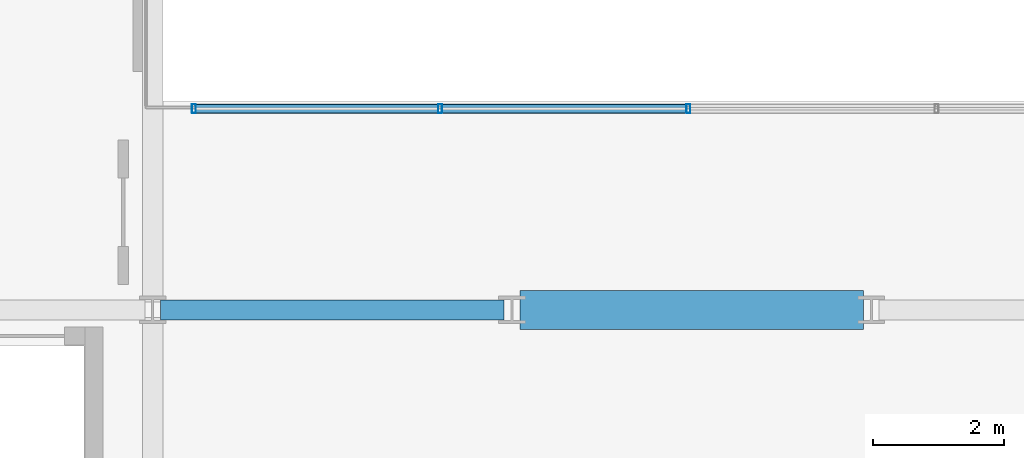
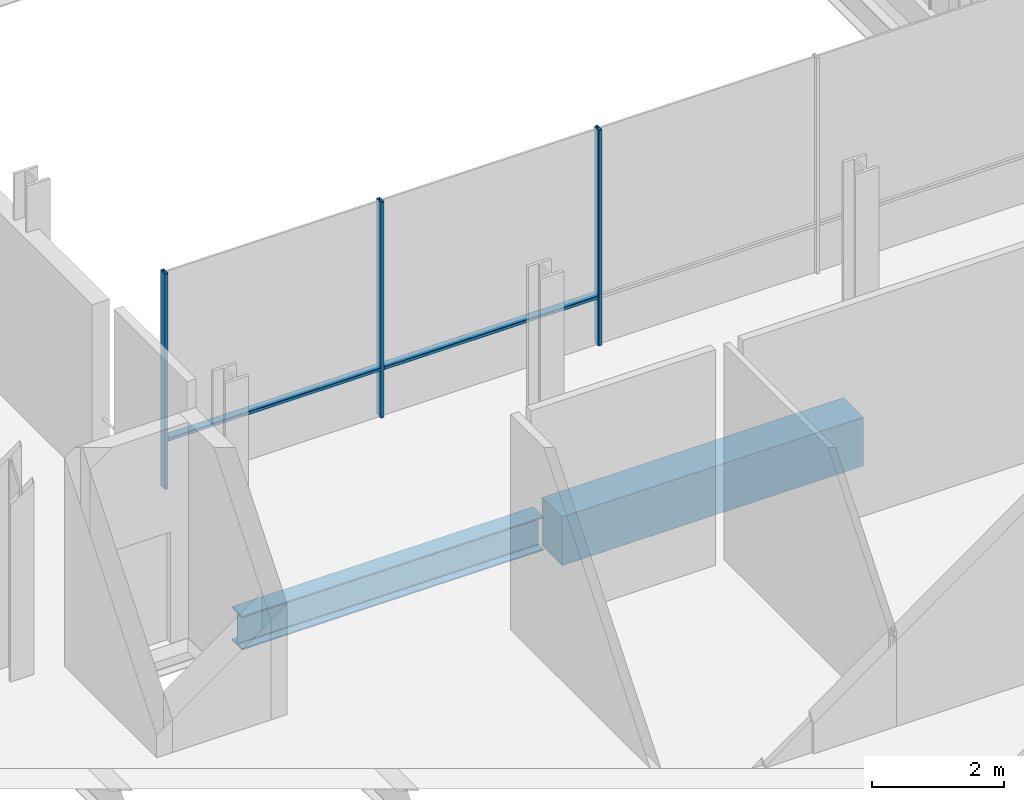
# One storey, part 4 of 32: 5 members, 2 beams, 1 element without a shape of its own.
"""IFC4 building model written with IfcOpenShell, lengths in metres."""

import ifcopenshell
import ifcopenshell.guid

model = None  # the IFC model being written
_history = None  # IfcOwnerHistory: only IFC2X3 demands one
_inside = {}  # id of a spatial element -> (the spatial element, [elements in it])
_under = {}  # id of a project, library or spatial element -> (it, [spatial elements below it])
_declared = {}  # id of a project -> (the project, [libraries it declares])
_typed = {}  # id of a type object -> (the type object, [elements of that type])
_made_of = {}  # id of a material, layer set ... -> (it, [elements and type objects made of it])


def new_model(schema):
    """Start an empty IFC model of exactly this schema.

    Asked for "IFC4X3", IfcOpenShell would pick the latest addendum, in which some entities
    have other attributes; the version numbers below select the first issue.
    IFC2X3 requires an IfcOwnerHistory on every rooted entity: one is made here for all.
    """
    global model, _history
    if schema == "IFC4X3":
        model = ifcopenshell.file(schema_version=(4, 3, 0, 0))
    else:
        model = ifcopenshell.file(schema=schema)
    _inside.clear()
    _under.clear()
    _declared.clear()
    _typed.clear()
    _made_of.clear()
    _history = None
    if model.schema == "IFC2X3":
        org = make("IfcOrganization", Name="unknown")
        user = make(
            "IfcPersonAndOrganization",
            ThePerson=make("IfcPerson", FamilyName="unknown"),
            TheOrganization=org,
        )
        app = make(
            "IfcApplication",
            ApplicationDeveloper=org,
            Version="unknown",
            ApplicationFullName="unknown",
            ApplicationIdentifier="unknown",
        )
        _history = make(
            "IfcOwnerHistory",
            OwningUser=user,
            OwningApplication=app,
            ChangeAction="ADDED",
            CreationDate=0,
        )
    return model


def make(cls, **values):
    """One entity of the class cls with the attributes given. An attribute that is None is left unset."""
    return model.create_entity(
        cls, **{name: value for name, value in values.items() if value is not None}
    )


def rooted(cls, **values):
    """An entity with a GlobalId (a new one), such as an element, a storey or a relation."""
    return make(cls, GlobalId=ifcopenshell.guid.new(), OwnerHistory=_history, **values)


def si_unit(unit_type, name, prefix=None):
    """IfcSIUnit, for example si_unit("LENGTHUNIT", "METRE", prefix="MILLI")."""
    return make("IfcSIUnit", UnitType=unit_type, Prefix=prefix, Name=name)


def assignment(units):
    """IfcUnitAssignment: the units of a project."""
    return None if units is None else make("IfcUnitAssignment", Units=units)


def point(xyz):
    """IfcCartesianPoint."""
    return None if xyz is None else make("IfcCartesianPoint", Coordinates=xyz)


def direction(xyz):
    """IfcDirection."""
    return None if xyz is None else make("IfcDirection", DirectionRatios=xyz)


def frame(location, z_axis=None, x_axis=None):
    """IfcAxis2Placement3D, a coordinate frame: its origin and axes. An axis left out is left unset."""
    return make(
        "IfcAxis2Placement3D",
        Location=point(location),
        Axis=direction(z_axis),
        RefDirection=direction(x_axis),
    )


def frame_2d(location, x_axis=None):
    """IfcAxis2Placement2D, a coordinate frame in the plane: its origin and x axis."""
    return make(
        "IfcAxis2Placement2D", Location=point(location), RefDirection=direction(x_axis)
    )


def origin():
    """The frame at (0, 0, 0) with its axes left unset."""
    return frame((0.0, 0.0, 0.0))


def origin_2d():
    """The frame at (0, 0) in the plane with its x axis left unset."""
    return frame_2d((0.0, 0.0))


def place(relative_to, where):
    """IfcLocalPlacement: puts the frame where relative to a parent placement (None: the world)."""
    return make(
        "IfcLocalPlacement", PlacementRelTo=relative_to, RelativePlacement=where
    )


def context(
    kind, dimensions, precision=None, world=None, true_north=None, identifier=None
):
    """IfcGeometricRepresentationContext, for example the 3D "Model" context."""
    return make(
        "IfcGeometricRepresentationContext",
        ContextIdentifier=identifier,
        ContextType=kind,
        CoordinateSpaceDimension=dimensions,
        Precision=precision,
        WorldCoordinateSystem=world,
        TrueNorth=true_north,
    )


def subcontext(parent, identifier, kind, view, scale=None):
    """IfcGeometricRepresentationSubContext, for example "Body" below "Model"."""
    return make(
        "IfcGeometricRepresentationSubContext",
        ContextIdentifier=identifier,
        ContextType=kind,
        ParentContext=parent,
        TargetScale=scale,
        TargetView=view,
    )


def project(units=None, contexts=None):
    """IfcProject with its units and contexts."""
    return rooted(
        "IfcProject",
        Name="project",
        RepresentationContexts=contexts,
        UnitsInContext=assignment(units),
    )


def spatial(cls, under=None, at=None, **own):
    """A site, building, storey or space (cls), placed at a placement, below another one or the project."""
    s = rooted(cls, ObjectPlacement=at, **own)
    if under is not None:
        _under.setdefault(under.id(), (under, []))[1].append(s)
    return s


def profile(cls, at=None, kind="AREA", **sizes):
    """A parametric profile (cls). Its sizes go by their IFC names, for example OverallWidth=200.0."""
    return make(cls, ProfileType=kind, Position=at, **sizes)


def rectangle(**sizes):
    """IfcRectangleProfileDef."""
    return profile("IfcRectangleProfileDef", **sizes)


def hollow_rectangle(**sizes):
    """IfcRectangleHollowProfileDef."""
    return profile("IfcRectangleHollowProfileDef", **sizes)


def i_section(**sizes):
    """IfcIShapeProfileDef."""
    return profile("IfcIShapeProfileDef", **sizes)


def extrude(swept, where, along, depth):
    """IfcExtrudedAreaSolid: the profile swept, set in the frame where, extruded along a direction by depth."""
    return make(
        "IfcExtrudedAreaSolid",
        SweptArea=swept,
        Position=where,
        ExtrudedDirection=direction(along),
        Depth=depth,
    )


def shape(context_of_items, identifier, shape_type, items):
    """IfcShapeRepresentation: the items that make up one representation, for example the "Body"."""
    return make(
        "IfcShapeRepresentation",
        ContextOfItems=context_of_items,
        RepresentationIdentifier=identifier,
        RepresentationType=shape_type,
        Items=items,
    )


def material(Name=None, Category=None):
    """IfcMaterial."""
    return make("IfcMaterial", Name=Name, Category=Category)


def layer(
    of_material, thickness, ventilated=None, Name=None, Category=None, Priority=None
):
    """IfcMaterialLayer: one layer of a wall or slab, of a material (None: an air gap)."""
    return make(
        "IfcMaterialLayer",
        Material=of_material,
        LayerThickness=thickness,
        IsVentilated=ventilated,
        Name=Name,
        Category=Category,
        Priority=Priority,
    )


def layer_set(layers, Name=None):
    """IfcMaterialLayerSet."""
    return make("IfcMaterialLayerSet", MaterialLayers=layers, LayerSetName=Name)


def material_profile(
    of_material, cross_section, Name=None, Category=None, Priority=None
):
    """IfcMaterialProfile: a cross section and its material."""
    return make(
        "IfcMaterialProfile",
        Name=Name,
        Material=of_material,
        Profile=cross_section,
        Priority=Priority,
        Category=Category,
    )


def profile_set(profiles, Name=None, composite=None):
    """IfcMaterialProfileSet."""
    return make(
        "IfcMaterialProfileSet",
        Name=Name,
        MaterialProfiles=profiles,
        CompositeProfile=composite,
    )


def made_of(thing, what):
    """Note that an element or type object is made of a material, layer set ...; save() writes the relation."""
    if what is not None:
        _made_of.setdefault(what.id(), (what, []))[1].append(thing)
    return thing


def type_object(cls, material=None, **own):
    """A type object (cls), such as IfcWallType, which elements share."""
    return made_of(rooted(cls, **own), material)


def element(
    cls,
    number,
    at=None,
    inside=None,
    cuts=None,
    type_object=None,
    material=None,
    context=None,
    identifier="Body",
    shape_type=None,
    held_by="IfcProductDefinitionShape",
    body=None,
    shapes=None,
    **own,
):
    """One element of the class cls, such as IfcWall. Its Tag is "e" and its number.

    at: its placement. inside: the storey or other place that contains it. cuts: it is an
    opening in that element (IfcRelVoidsElement). A single representation is given by context,
    identifier, shape_type and body (its items); several are given by shapes. held_by: the class
    of the entity that holds the representations. save() writes the other relations.
    """
    e = rooted(cls, Tag="e%d" % number, ObjectPlacement=at, **own)
    if body is not None:
        shapes = [shape(context, identifier, shape_type, body)]
    if shapes is not None:
        e.Representation = make(held_by, Representations=shapes)
    if inside is not None:
        _inside.setdefault(inside.id(), (inside, []))[1].append(e)
    if cuts is not None:
        rooted(
            "IfcRelVoidsElement", RelatingBuildingElement=cuts, RelatedOpeningElement=e
        )
    if type_object is not None:
        _typed.setdefault(type_object.id(), (type_object, []))[1].append(e)
    return made_of(e, material)


def aggregate(whole, parts):
    """IfcRelAggregates: a whole, such as a stair, and the parts it consists of."""
    return rooted("IfcRelAggregates", RelatingObject=whole, RelatedObjects=parts)


def save(model, path):
    """Write the relations noted so far, then the file.

    IfcRelAggregates (storeys below a building ...), IfcRelContainedInSpatialStructure (elements
    in a storey), IfcRelDefinesByType, IfcRelAssociatesMaterial and IfcRelDeclares: one each for
    every whole, place, type object, material and project.
    """
    for whole, parts in _under.values():
        aggregate(whole, parts)
    for where, things in _inside.values():
        rooted(
            "IfcRelContainedInSpatialStructure",
            RelatedElements=things,
            RelatingStructure=where,
        )
    for kind, things in _typed.values():
        rooted("IfcRelDefinesByType", RelatedObjects=things, RelatingType=kind)
    for what, things in _made_of.values():
        rooted("IfcRelAssociatesMaterial", RelatedObjects=things, RelatingMaterial=what)
    for by, libraries in _declared.values():
        rooted("IfcRelDeclares", RelatingContext=by, RelatedDefinitions=libraries)
    model.write(path)


model = new_model("IFC4")

# Units and contexts
model_context = context("Model", 3, precision=1e-05, world=origin(), true_north=direction((0.0, 1.0)))
body_context = subcontext(model_context, "Body", "Model", "MODEL_VIEW")
ifc_project = project(units=[si_unit("LENGTHUNIT", "METRE"), si_unit("AREAUNIT", "SQUARE_METRE"), si_unit("VOLUMEUNIT", "CUBIC_METRE"), si_unit("PLANEANGLEUNIT", "RADIAN"), si_unit("MASSUNIT", "GRAM", prefix="KILO")], contexts=[model_context])

# Site, building, storey
site_placement = place(None, origin())
site = spatial("IfcSite", under=ifc_project, at=site_placement, CompositionType="ELEMENT")
building_placement = place(site_placement, origin())
building = spatial("IfcBuilding", under=site, at=building_placement, Name="Brevholm Reach", CompositionType="ELEMENT")
storey_placement = place(building_placement, frame((0.0, 0.0, 134.5)))
storey = spatial("IfcBuildingStorey", under=building, at=storey_placement, Name="L40", CompositionType="ELEMENT", Elevation=134.5)

# Beams
ifc_material_1 = material(Name="Concrete C50/60", Category="concrete")
ifc_material_profile_1 = material_profile(ifc_material_1, rectangle(XDim=0.60009765625, YDim=0.89990234375, at=origin_2d()), Name="RC 600x900")
ifc_profile_set_1 = profile_set([ifc_material_profile_1], Name="Concrete C50/60")
beam_type_1 = type_object("IfcBeamType", Name="BM-CB600", PredefinedType="LINTEL", material=ifc_profile_set_1)
beam_1_placement = place(storey_placement, frame((27.3701171875, 10.0, -0.699951171875), z_axis=(1.0, 0.0, 0.0), x_axis=(0.0, 1.0, 0.0)))
element("IfcBeam", 1, at=beam_1_placement, inside=storey, type_object=beam_type_1, Name="L40 CB-02 Framing Beam", PredefinedType="LINTEL", context=body_context, shape_type="SweptSolid", body=[
    extrude(rectangle(XDim=0.60009765625, YDim=0.89990234375, at=origin_2d()), origin(), (0.0, 0.0, 1.0), 5.259765625),
])
ifc_material_2 = material(Name="Structural Steel S355J2", Category="steel")
ifc_material_profile_2 = material_profile(ifc_material_2, i_section(OverallWidth=0.30712890625, OverallDepth=0.6201171875, WebThickness=0.01416015625, FlangeThickness=0.023681640625, FilletRadius=0.0166015625, at=origin_2d()), Name="UKB 610x305x179")
ifc_profile_set_2 = profile_set([ifc_material_profile_2], Name="Structural Steel S355J2")
beam_type_2 = type_object("IfcBeamType", Name="BM-UKB610H", PredefinedType="USERDEFINED", material=ifc_profile_set_2)
beam_2_placement = place(storey_placement, frame((21.8701171875, 10.0, -0.56005859375), z_axis=(1.0, 0.0, 0.0), x_axis=(0.0, 1.0, 0.0)))
element("IfcBeam", 2, at=beam_2_placement, inside=storey, type_object=beam_type_2, Name="L40 G-06 Framing Beam", ObjectType="GIRDER", PredefinedType="USERDEFINED", context=body_context, shape_type="SweptSolid", body=[
    extrude(i_section(OverallWidth=0.30712890625, OverallDepth=0.6201171875, WebThickness=0.01416015625, FlangeThickness=0.023681640625, FilletRadius=0.0166015625, at=origin_2d()), origin(), (0.0, 0.0, 1.0), 5.259765625),
])

# Curtain wall, members
ifc_material_3 = material(Name="Dark Anodised Aluminium 6063-T6 and Solar-Control Glass", Category="aluminium")
ifc_layer = layer(ifc_material_3, 0.139892578125)
ifc_layer_set = layer_set([ifc_layer], Name="Dark Anodised Aluminium 6063-T6 and Solar-Control Glass")
curtain_wall_type = type_object("IfcCurtainWallType", Name="CW-02", PredefinedType="NOTDEFINED", material=ifc_layer_set)
curtain_wall_placement = place(storey_placement, origin())
curtain_wall = element("IfcCurtainWall", 3, at=curtain_wall_placement, inside=storey, type_object=curtain_wall_type, Name="L40 Curtain Wall CW-02", PredefinedType="NOTDEFINED")
ifc_material_4 = material(Name="Dark Anodised Aluminium 6063-T6", Category="aluminium")
ifc_material_profile_3 = material_profile(ifc_material_4, hollow_rectangle(XDim=0.06005859375, YDim=0.139892578125, WallThickness=0.0048828125, InnerFilletRadius=0.0048828125, OuterFilletRadius=0.010009765625, at=origin_2d()), Name="RHS 140x60x5")
ifc_profile_set_3 = profile_set([ifc_material_profile_3], Name="Dark Anodised Aluminium 6063-T6")
member_type_1 = type_object("IfcMemberType", Name="CWM-140", PredefinedType="MULLION", material=ifc_profile_set_3)
member_1_placement = place(storey_placement, frame((22.3798828125, 13.080078125, 0.0), z_axis=(0.0, 0.0, 1.0), x_axis=(1.0, 0.0, 0.0)))
member_1 = element("IfcMember", 4, at=member_1_placement, type_object=member_type_1, Name="CM-140 Mullion 1", PredefinedType="MULLION", context=body_context, shape_type="SweptSolid", body=[
    extrude(hollow_rectangle(XDim=0.06005859375, YDim=0.139892578125, WallThickness=0.0048828125, InnerFilletRadius=0.0048828125, OuterFilletRadius=0.010009765625, at=origin_2d()), origin(), (0.0, 0.0, 1.0), 3.97998046875),
])
member_2_placement = place(storey_placement, frame((26.14990234375, 13.080078125, 0.0), z_axis=(0.0, 0.0, 1.0), x_axis=(1.0, 0.0, 0.0)))
member_2 = element("IfcMember", 5, at=member_2_placement, type_object=member_type_1, Name="CM-140 Mullion 2", PredefinedType="MULLION", context=body_context, shape_type="SweptSolid", body=[
    extrude(hollow_rectangle(XDim=0.06005859375, YDim=0.139892578125, WallThickness=0.0048828125, InnerFilletRadius=0.0048828125, OuterFilletRadius=0.010009765625, at=origin_2d()), origin(), (0.0, 0.0, 1.0), 3.97998046875),
])
member_3_placement = place(storey_placement, frame((29.949951171875, 13.080078125, 0.0), z_axis=(0.0, 0.0, 1.0), x_axis=(1.0, 0.0, 0.0)))
member_3 = element("IfcMember", 6, at=member_3_placement, type_object=member_type_1, Name="CM-140 Mullion 3", PredefinedType="MULLION", context=body_context, shape_type="SweptSolid", body=[
    extrude(hollow_rectangle(XDim=0.06005859375, YDim=0.139892578125, WallThickness=0.0048828125, InnerFilletRadius=0.0048828125, OuterFilletRadius=0.010009765625, at=origin_2d()), origin(), (0.0, 0.0, 1.0), 3.97998046875),
])
ifc_material_5 = material(Name="Dark Anodised Aluminium 6063-T6", Category="aluminium")
ifc_material_profile_4 = material_profile(ifc_material_5, hollow_rectangle(XDim=0.06005859375, YDim=0.139892578125, WallThickness=0.0048828125, InnerFilletRadius=0.0048828125, OuterFilletRadius=0.010009765625, at=origin_2d()), Name="RHS 140x60x5")
ifc_profile_set_4 = profile_set([ifc_material_profile_4], Name="Dark Anodised Aluminium 6063-T6")
member_type_2 = type_object("IfcMemberType", Name="CWT-140", PredefinedType="NOTDEFINED", material=ifc_profile_set_4)
member_4_placement = place(storey_placement, frame((22.409912109375, 13.080078125, 0.89990234375), z_axis=(1.0, 0.0, 0.0), x_axis=(0.0, 0.0, 1.0)))
member_4 = element("IfcMember", 7, at=member_4_placement, type_object=member_type_2, Name="CT-140 Transom 1.1", ObjectType="TRANSOM", PredefinedType="USERDEFINED", context=body_context, shape_type="SweptSolid", body=[
    extrude(hollow_rectangle(XDim=0.06005859375, YDim=0.139892578125, WallThickness=0.0048828125, InnerFilletRadius=0.0048828125, OuterFilletRadius=0.010009765625, at=origin_2d()), origin(), (0.0, 0.0, 1.0), 3.710205078125),
])
member_5_placement = place(storey_placement, frame((26.179931640625, 13.080078125, 0.89990234375), z_axis=(1.0, 0.0, 0.0), x_axis=(0.0, 0.0, 1.0)))
member_5 = element("IfcMember", 8, at=member_5_placement, type_object=member_type_2, Name="CT-140 Transom 2.1", ObjectType="TRANSOM", PredefinedType="USERDEFINED", context=body_context, shape_type="SweptSolid", body=[
    extrude(hollow_rectangle(XDim=0.06005859375, YDim=0.139892578125, WallThickness=0.0048828125, InnerFilletRadius=0.0048828125, OuterFilletRadius=0.010009765625, at=origin_2d()), origin(), (0.0, 0.0, 1.0), 3.739990234375),
])
aggregate(curtain_wall, [member_1, member_2, member_3, member_4, member_5])

save(model, "model.ifc")
